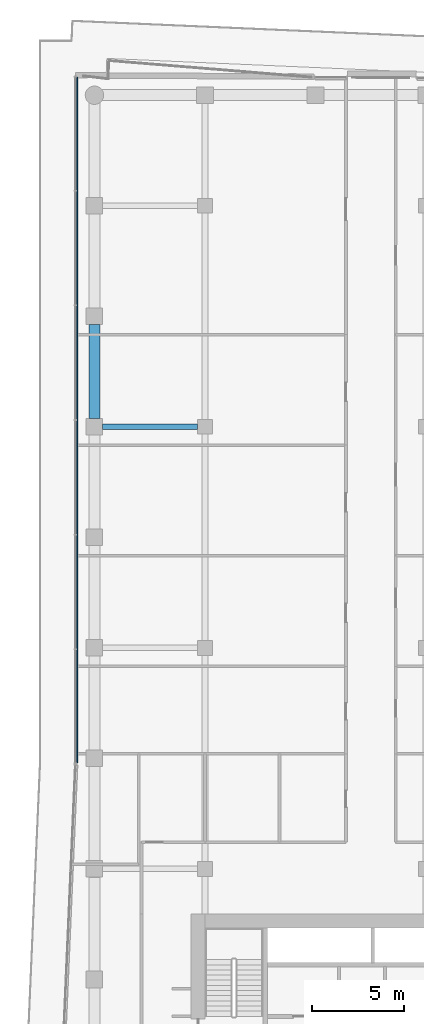
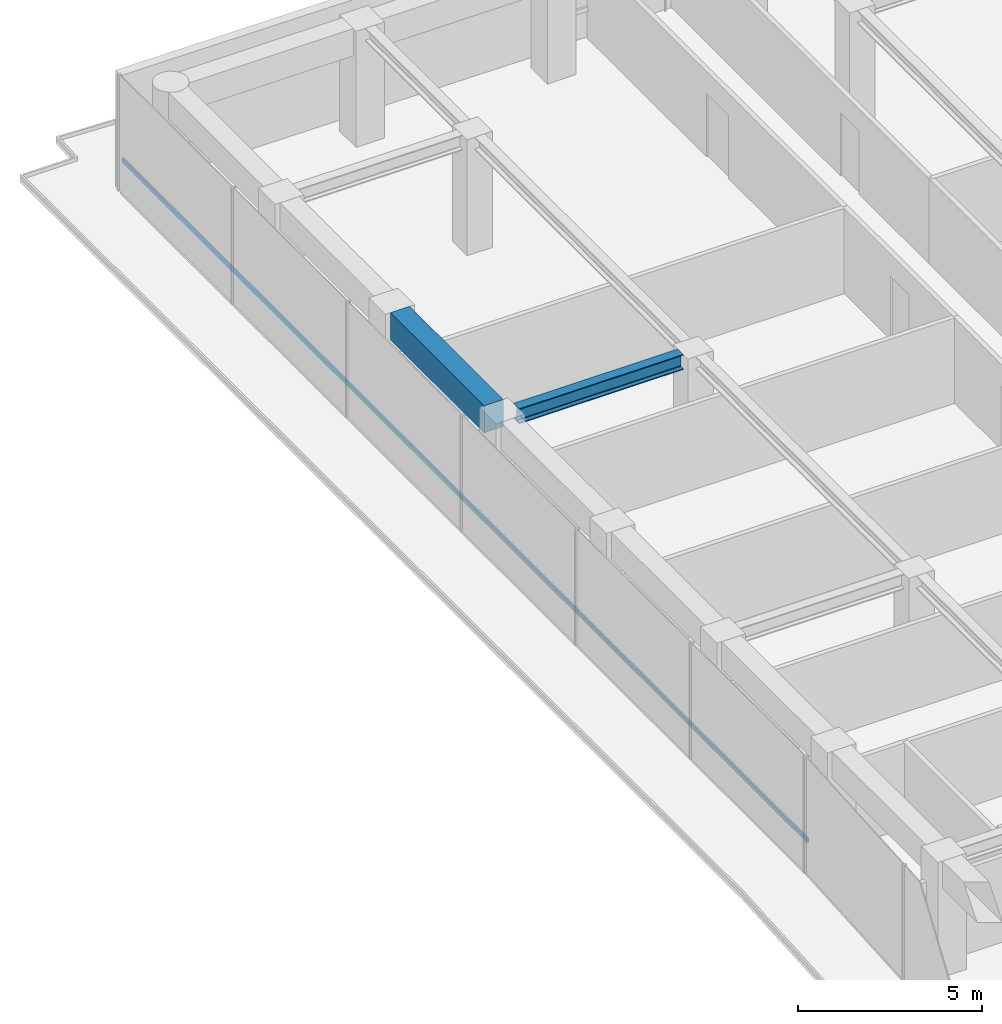
# One storey, part 13 of 25: 2 beams, 1 member, 1 element without a shape of its own.
"""IFC4 building model written with IfcOpenShell, lengths in metres."""

from ifc_helpers import new_model, si_unit, direction, frame, origin, origin_2d, place, context, subcontext, project, spatial, rectangle, i_section, extrude, material, layer, layer_set, material_profile, profile_set, type_object, element, aggregate, save


model = new_model("IFC4")

# Units and contexts
model_context = context("Model", 3, precision=1e-05, world=origin(), true_north=direction((0.0, 1.0)))
body_context = subcontext(model_context, "Body", "Model", "MODEL_VIEW")
ifc_project = project(units=[si_unit("LENGTHUNIT", "METRE"), si_unit("AREAUNIT", "SQUARE_METRE"), si_unit("VOLUMEUNIT", "CUBIC_METRE"), si_unit("PLANEANGLEUNIT", "RADIAN"), si_unit("MASSUNIT", "GRAM", prefix="KILO")], contexts=[model_context])

# Site, building, storey
site_placement = place(None, origin())
site = spatial("IfcSite", under=ifc_project, at=site_placement, CompositionType="ELEMENT")
building_placement = place(site_placement, origin())
building = spatial("IfcBuilding", under=site, at=building_placement, Name="Welwitschia Terrace Campus", CompositionType="ELEMENT")
storey_placement = place(building_placement, frame((0.0, 0.0, 121.39990234375)))
storey = spatial("IfcBuildingStorey", under=building, at=storey_placement, Name="L27", CompositionType="ELEMENT", Elevation=121.39990234375)

# Beams
ifc_material_1 = material(Name="Steel S355", Category="steel")
ifc_material_profile_1 = material_profile(ifc_material_1, i_section(OverallWidth=0.300048828125, OverallDepth=0.5, WebThickness=0.014404296875, FlangeThickness=0.028076171875, FilletRadius=0.027099609375, at=origin_2d()))
ifc_profile_set_1 = profile_set([ifc_material_profile_1], Name="Steel S355")
beam_type_1 = type_object("IfcBeamType", Name="Primary beam HE 500 B", PredefinedType="BEAM", material=ifc_profile_set_1)
beam_1_placement = place(storey_placement, frame((0.450439453125, 52.0, 3.60009765625), z_axis=(1.0, 0.0, 0.0), x_axis=(0.0, 1.0, 0.0)))
element("IfcBeam", 1, at=beam_1_placement, inside=storey, type_object=beam_type_1, Name="Primary beam PB3", PredefinedType="BEAM", context=body_context, shape_type="SweptSolid", body=[
    extrude(i_section(OverallWidth=0.300048828125, OverallDepth=0.5, WebThickness=0.014404296875, FlangeThickness=0.028076171875, FilletRadius=0.027099609375, at=origin_2d()), origin(), (0.0, 0.0, 1.0), 5.149169921875),
])
ifc_material_2 = material(Name="Concrete C60/75", Category="concrete")
ifc_material_profile_2 = material_profile(ifc_material_2, rectangle(XDim=0.60009765625, YDim=0.89990234375, at=origin_2d()))
ifc_profile_set_2 = profile_set([ifc_material_profile_2], Name="Concrete C60/75")
beam_type_2 = type_object("IfcBeamType", Name="Ring spandrel 600x900", PredefinedType="SPANDREL", material=ifc_profile_set_2)
beam_2_placement = place(storey_placement, frame((0.0, 57.549560546875, 3.400146484375), z_axis=(0.0, -1.0, 0.0), x_axis=(1.0, 0.0, 0.0)))
element("IfcBeam", 2, at=beam_2_placement, inside=storey, type_object=beam_type_2, Name="Spandrel SP2", PredefinedType="SPANDREL", context=body_context, shape_type="SweptSolid", body=[
    extrude(rectangle(XDim=0.60009765625, YDim=0.89990234375, at=origin_2d()), origin(), (0.0, 0.0, 1.0), 5.09912109375),
])

# Curtain wall, member
ifc_material_3 = material(Name="Bronze anodised aluminium", Category="aluminium")
ifc_layer = layer(ifc_material_3, 0.1201171875)
ifc_layer_set = layer_set([ifc_layer], Name="Bronze anodised aluminium")
curtain_wall_type = type_object("IfcCurtainWallType", Name="Curtain wall CW2 tower 6000", PredefinedType="NOTDEFINED", material=ifc_layer_set)
curtain_wall_placement = place(storey_placement, origin())
curtain_wall = element("IfcCurtainWall", 3, at=curtain_wall_placement, inside=storey, type_object=curtain_wall_type, Name="CW L27.12.0", PredefinedType="NOTDEFINED")
ifc_material_4 = material(Name="Bronze anodised aluminium", Category="aluminium")
ifc_material_profile_3 = material_profile(ifc_material_4, rectangle(XDim=0.06005859375, YDim=0.14990234375, at=origin_2d()))
ifc_profile_set_3 = profile_set([ifc_material_profile_3], Name="Bronze anodised aluminium")
member_type = type_object("IfcMemberType", Name="Transom 60x150", PredefinedType="USERDEFINED", material=ifc_profile_set_3)
member_placement = place(storey_placement, frame((-0.93994140625, 70.978759765625, 1.0), z_axis=(0.0, -1.0, 0.0), x_axis=(1.0, 0.0, 0.0)))
member = element("IfcMember", 4, at=member_placement, type_object=member_type, Name="Transom L27.12.0", ObjectType="TRANSOM", PredefinedType="USERDEFINED", context=body_context, shape_type="SweptSolid", body=[
    extrude(rectangle(XDim=0.06005859375, YDim=0.14990234375, at=origin_2d()), origin(), (0.0, 0.0, 1.0), 37.22119140625),
])
aggregate(curtain_wall, [member])

save(model, "model.ifc")
